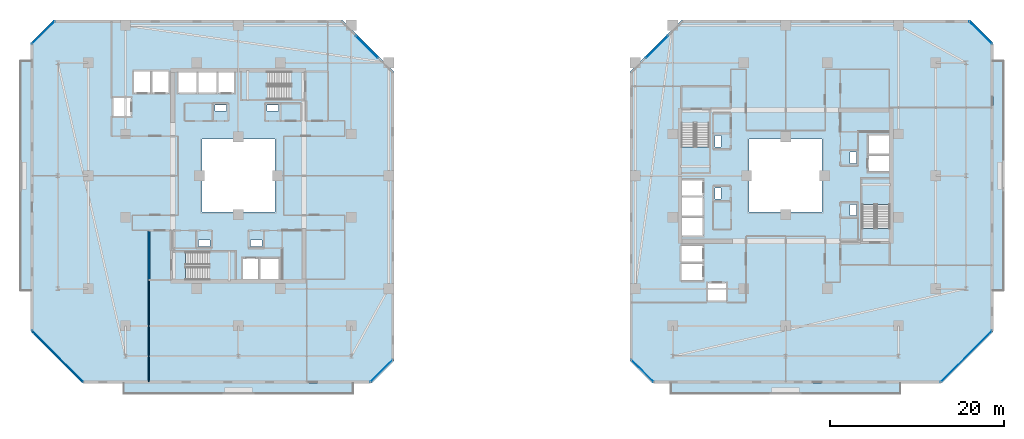
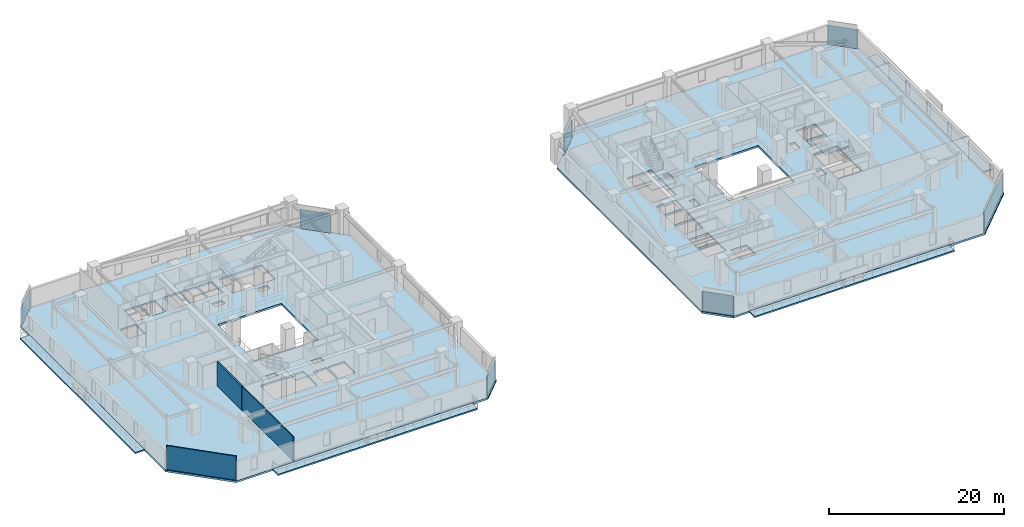
# One storey, part 17 of 32: 10 slabs, 8 plates, 3 walls, 12 elements without a shape of their own.
"""IFC4 building model written with IfcOpenShell, lengths in metres."""

import ifcopenshell
import ifcopenshell.guid

model = None  # the IFC model being written
_history = None  # IfcOwnerHistory: only IFC2X3 demands one
_inside = {}  # id of a spatial element -> (the spatial element, [elements in it])
_under = {}  # id of a project, library or spatial element -> (it, [spatial elements below it])
_declared = {}  # id of a project -> (the project, [libraries it declares])
_typed = {}  # id of a type object -> (the type object, [elements of that type])
_made_of = {}  # id of a material, layer set ... -> (it, [elements and type objects made of it])


def new_model(schema):
    """Start an empty IFC model of exactly this schema.

    Asked for "IFC4X3", IfcOpenShell would pick the latest addendum, in which some entities
    have other attributes; the version numbers below select the first issue.
    IFC2X3 requires an IfcOwnerHistory on every rooted entity: one is made here for all.
    """
    global model, _history
    if schema == "IFC4X3":
        model = ifcopenshell.file(schema_version=(4, 3, 0, 0))
    else:
        model = ifcopenshell.file(schema=schema)
    _inside.clear()
    _under.clear()
    _declared.clear()
    _typed.clear()
    _made_of.clear()
    _history = None
    if model.schema == "IFC2X3":
        org = make("IfcOrganization", Name="unknown")
        user = make(
            "IfcPersonAndOrganization",
            ThePerson=make("IfcPerson", FamilyName="unknown"),
            TheOrganization=org,
        )
        app = make(
            "IfcApplication",
            ApplicationDeveloper=org,
            Version="unknown",
            ApplicationFullName="unknown",
            ApplicationIdentifier="unknown",
        )
        _history = make(
            "IfcOwnerHistory",
            OwningUser=user,
            OwningApplication=app,
            ChangeAction="ADDED",
            CreationDate=0,
        )
    return model


def make(cls, **values):
    """One entity of the class cls with the attributes given. An attribute that is None is left unset."""
    return model.create_entity(
        cls, **{name: value for name, value in values.items() if value is not None}
    )


def rooted(cls, **values):
    """An entity with a GlobalId (a new one), such as an element, a storey or a relation."""
    return make(cls, GlobalId=ifcopenshell.guid.new(), OwnerHistory=_history, **values)


def si_unit(unit_type, name, prefix=None):
    """IfcSIUnit, for example si_unit("LENGTHUNIT", "METRE", prefix="MILLI")."""
    return make("IfcSIUnit", UnitType=unit_type, Prefix=prefix, Name=name)


def assignment(units):
    """IfcUnitAssignment: the units of a project."""
    return None if units is None else make("IfcUnitAssignment", Units=units)


def point(xyz):
    """IfcCartesianPoint."""
    return None if xyz is None else make("IfcCartesianPoint", Coordinates=xyz)


def direction(xyz):
    """IfcDirection."""
    return None if xyz is None else make("IfcDirection", DirectionRatios=xyz)


def frame(location, z_axis=None, x_axis=None):
    """IfcAxis2Placement3D, a coordinate frame: its origin and axes. An axis left out is left unset."""
    return make(
        "IfcAxis2Placement3D",
        Location=point(location),
        Axis=direction(z_axis),
        RefDirection=direction(x_axis),
    )


def frame_2d(location, x_axis=None):
    """IfcAxis2Placement2D, a coordinate frame in the plane: its origin and x axis."""
    return make(
        "IfcAxis2Placement2D", Location=point(location), RefDirection=direction(x_axis)
    )


def origin():
    """The frame at (0, 0, 0) with its axes left unset."""
    return frame((0.0, 0.0, 0.0))


def origin_2d():
    """The frame at (0, 0) in the plane with its x axis left unset."""
    return frame_2d((0.0, 0.0))


def place(relative_to, where):
    """IfcLocalPlacement: puts the frame where relative to a parent placement (None: the world)."""
    return make(
        "IfcLocalPlacement", PlacementRelTo=relative_to, RelativePlacement=where
    )


def context(
    kind, dimensions, precision=None, world=None, true_north=None, identifier=None
):
    """IfcGeometricRepresentationContext, for example the 3D "Model" context."""
    return make(
        "IfcGeometricRepresentationContext",
        ContextIdentifier=identifier,
        ContextType=kind,
        CoordinateSpaceDimension=dimensions,
        Precision=precision,
        WorldCoordinateSystem=world,
        TrueNorth=true_north,
    )


def subcontext(parent, identifier, kind, view, scale=None):
    """IfcGeometricRepresentationSubContext, for example "Body" below "Model"."""
    return make(
        "IfcGeometricRepresentationSubContext",
        ContextIdentifier=identifier,
        ContextType=kind,
        ParentContext=parent,
        TargetScale=scale,
        TargetView=view,
    )


def project(units=None, contexts=None):
    """IfcProject with its units and contexts."""
    return rooted(
        "IfcProject",
        Name="project",
        RepresentationContexts=contexts,
        UnitsInContext=assignment(units),
    )


def spatial(cls, under=None, at=None, **own):
    """A site, building, storey or space (cls), placed at a placement, below another one or the project."""
    s = rooted(cls, ObjectPlacement=at, **own)
    if under is not None:
        _under.setdefault(under.id(), (under, []))[1].append(s)
    return s


def polyline(points):
    """IfcPolyline through the points."""
    return make("IfcPolyline", Points=[point(p) for p in points])


def profile(cls, at=None, kind="AREA", **sizes):
    """A parametric profile (cls). Its sizes go by their IFC names, for example OverallWidth=200.0."""
    return make(cls, ProfileType=kind, Position=at, **sizes)


def rectangle(**sizes):
    """IfcRectangleProfileDef."""
    return profile("IfcRectangleProfileDef", **sizes)


def outline(outer, holes=None, kind="AREA"):
    """IfcArbitraryClosedProfileDef: a profile drawn as a closed curve; with holes, ...WithVoids."""
    if holes is None:
        return make("IfcArbitraryClosedProfileDef", ProfileType=kind, OuterCurve=outer)
    return make(
        "IfcArbitraryProfileDefWithVoids",
        ProfileType=kind,
        OuterCurve=outer,
        InnerCurves=holes,
    )


def extrude(swept, where, along, depth):
    """IfcExtrudedAreaSolid: the profile swept, set in the frame where, extruded along a direction by depth."""
    return make(
        "IfcExtrudedAreaSolid",
        SweptArea=swept,
        Position=where,
        ExtrudedDirection=direction(along),
        Depth=depth,
    )


def shape(context_of_items, identifier, shape_type, items):
    """IfcShapeRepresentation: the items that make up one representation, for example the "Body"."""
    return make(
        "IfcShapeRepresentation",
        ContextOfItems=context_of_items,
        RepresentationIdentifier=identifier,
        RepresentationType=shape_type,
        Items=items,
    )


def material(Name=None, Category=None):
    """IfcMaterial."""
    return make("IfcMaterial", Name=Name, Category=Category)


def layer(
    of_material, thickness, ventilated=None, Name=None, Category=None, Priority=None
):
    """IfcMaterialLayer: one layer of a wall or slab, of a material (None: an air gap)."""
    return make(
        "IfcMaterialLayer",
        Material=of_material,
        LayerThickness=thickness,
        IsVentilated=ventilated,
        Name=Name,
        Category=Category,
        Priority=Priority,
    )


def layer_set(layers, Name=None):
    """IfcMaterialLayerSet."""
    return make("IfcMaterialLayerSet", MaterialLayers=layers, LayerSetName=Name)


def made_of(thing, what):
    """Note that an element or type object is made of a material, layer set ...; save() writes the relation."""
    if what is not None:
        _made_of.setdefault(what.id(), (what, []))[1].append(thing)
    return thing


def type_object(cls, material=None, **own):
    """A type object (cls), such as IfcWallType, which elements share."""
    return made_of(rooted(cls, **own), material)


def element(
    cls,
    number,
    at=None,
    inside=None,
    cuts=None,
    type_object=None,
    material=None,
    context=None,
    identifier="Body",
    shape_type=None,
    held_by="IfcProductDefinitionShape",
    body=None,
    shapes=None,
    **own,
):
    """One element of the class cls, such as IfcWall. Its Tag is "e" and its number.

    at: its placement. inside: the storey or other place that contains it. cuts: it is an
    opening in that element (IfcRelVoidsElement). A single representation is given by context,
    identifier, shape_type and body (its items); several are given by shapes. held_by: the class
    of the entity that holds the representations. save() writes the other relations.
    """
    e = rooted(cls, Tag="e%d" % number, ObjectPlacement=at, **own)
    if body is not None:
        shapes = [shape(context, identifier, shape_type, body)]
    if shapes is not None:
        e.Representation = make(held_by, Representations=shapes)
    if inside is not None:
        _inside.setdefault(inside.id(), (inside, []))[1].append(e)
    if cuts is not None:
        rooted(
            "IfcRelVoidsElement", RelatingBuildingElement=cuts, RelatedOpeningElement=e
        )
    if type_object is not None:
        _typed.setdefault(type_object.id(), (type_object, []))[1].append(e)
    return made_of(e, material)


def aggregate(whole, parts):
    """IfcRelAggregates: a whole, such as a stair, and the parts it consists of."""
    return rooted("IfcRelAggregates", RelatingObject=whole, RelatedObjects=parts)


def save(model, path):
    """Write the relations noted so far, then the file.

    IfcRelAggregates (storeys below a building ...), IfcRelContainedInSpatialStructure (elements
    in a storey), IfcRelDefinesByType, IfcRelAssociatesMaterial and IfcRelDeclares: one each for
    every whole, place, type object, material and project.
    """
    for whole, parts in _under.values():
        aggregate(whole, parts)
    for where, things in _inside.values():
        rooted(
            "IfcRelContainedInSpatialStructure",
            RelatedElements=things,
            RelatingStructure=where,
        )
    for kind, things in _typed.values():
        rooted("IfcRelDefinesByType", RelatedObjects=things, RelatingType=kind)
    for what, things in _made_of.values():
        rooted("IfcRelAssociatesMaterial", RelatedObjects=things, RelatingMaterial=what)
    for by, libraries in _declared.values():
        rooted("IfcRelDeclares", RelatingContext=by, RelatedDefinitions=libraries)
    model.write(path)


model = new_model("IFC4")

# Units and contexts
model_context = context("Model", 3, precision=1e-05, world=origin(), true_north=direction((0.0, 1.0)))
body_context = subcontext(model_context, "Body", "Model", "MODEL_VIEW")
ifc_project = project(units=[si_unit("LENGTHUNIT", "METRE"), si_unit("AREAUNIT", "SQUARE_METRE"), si_unit("VOLUMEUNIT", "CUBIC_METRE"), si_unit("PLANEANGLEUNIT", "RADIAN"), si_unit("MASSUNIT", "GRAM", prefix="KILO")], contexts=[model_context])

# Site, building, storey
site_placement = place(None, origin())
site = spatial("IfcSite", under=ifc_project, at=site_placement, CompositionType="ELEMENT")
building_placement = place(site_placement, origin())
building = spatial("IfcBuilding", under=site, at=building_placement, Name="Thornwick Lancets Civic Towers", CompositionType="ELEMENT")
storey_placement = place(building_placement, frame((0.0, 0.0, 123.300048828125)))
storey = spatial("IfcBuildingStorey", under=building, at=storey_placement, Name="L32", CompositionType="ELEMENT", Elevation=123.300048828125)

# Curtain wall, plate
ifc_material_1 = material(Name="Mid-zone chamfered-corner unitised glass curtain wall", Category="glass")
curtain_wall_type = type_object("IfcCurtainWallType", Name="CW_SYS_04", PredefinedType="NOTDEFINED", material=ifc_material_1)
curtain_wall_1_placement = place(storey_placement, origin())
curtain_wall_1 = element("IfcCurtainWall", 1, at=curtain_wall_1_placement, inside=storey, type_object=curtain_wall_type, Name="L32 Curtain Wall CW-L32-A-E1", PredefinedType="NOTDEFINED")
ifc_material_2 = material(Name="Low-e double glazing clear glass", Category="glass")
ifc_layer_1 = layer(ifc_material_2, 0.035888671875, Name="Low-e double glazing clear glass")
ifc_layer_set_1 = layer_set([ifc_layer_1], Name="Low-e double glazing clear glass")
plate_type = type_object("IfcPlateType", Name="CW_PNL_GLASS", PredefinedType="CURTAIN_PANEL", material=ifc_layer_set_1)
plate_1_placement = place(storey_placement, frame((41.972900390625, 4.527099609375, 0.0), z_axis=(0.0, 0.0, 1.0), x_axis=(0.707106781187, 0.707106781187, 0.0)))
plate_1 = element("IfcPlate", 2, at=plate_1_placement, type_object=plate_type, Name="CW-L32-A-E1 Panel 0", PredefinedType="CURTAIN_PANEL", context=body_context, shape_type="SweptSolid", body=[
    extrude(rectangle(XDim=3.649169921875, YDim=0.035888671875, at=origin_2d()), origin(), (0.0, 0.0, 1.0), 2.699951171875),
])
aggregate(curtain_wall_1, [plate_1])

curtain_wall_2_placement = place(storey_placement, origin())
curtain_wall_2 = element("IfcCurtainWall", 3, at=curtain_wall_2_placement, inside=storey, type_object=curtain_wall_type, Name="L32 Curtain Wall CW-L32-A-E3", PredefinedType="NOTDEFINED")
plate_2_placement = place(storey_placement, frame((40.31298828125, 41.81298828125, 0.0), z_axis=(0.0, 0.0, 1.0), x_axis=(-0.707106781187, 0.707106781187, 0.0)))
plate_2 = element("IfcPlate", 4, at=plate_2_placement, type_object=plate_type, Name="CW-L32-A-E3 Panel 0", PredefinedType="CURTAIN_PANEL", context=body_context, shape_type="SweptSolid", body=[
    extrude(rectangle(XDim=3.5771484375, YDim=0.035888671875, at=origin_2d()), origin(), (0.0, 0.0, 1.0), 2.699951171875),
])
aggregate(curtain_wall_2, [plate_2])

curtain_wall_3_placement = place(storey_placement, origin())
curtain_wall_3 = element("IfcCurtainWall", 5, at=curtain_wall_3_placement, inside=storey, type_object=curtain_wall_type, Name="L32 Curtain Wall CW-L32-A-E5", PredefinedType="NOTDEFINED")
plate_3_placement = place(storey_placement, frame((3.027099609375, 43.472900390625, 0.0), z_axis=(0.0, 0.0, 1.0), x_axis=(-0.707106781187, -0.707106781187, 0.0)))
plate_3 = element("IfcPlate", 6, at=plate_3_placement, type_object=plate_type, Name="CW-L32-A-E5 Panel 0", PredefinedType="CURTAIN_PANEL", context=body_context, shape_type="SweptSolid", body=[
    extrude(rectangle(XDim=3.649169921875, YDim=0.035888671875, at=origin_2d()), origin(), (0.0, 0.0, 1.0), 2.699951171875),
])
aggregate(curtain_wall_3, [plate_3])

curtain_wall_4_placement = place(storey_placement, origin())
curtain_wall_4 = element("IfcCurtainWall", 7, at=curtain_wall_4_placement, inside=storey, type_object=curtain_wall_type, Name="L32 Curtain Wall CW-L32-A-E7", PredefinedType="NOTDEFINED")
plate_4_placement = place(storey_placement, frame((4.68701171875, 6.18701171875, 0.0), z_axis=(0.0, 0.0, 1.0), x_axis=(0.707106781187, -0.707106781187, 0.0)))
plate_4 = element("IfcPlate", 8, at=plate_4_placement, type_object=plate_type, Name="CW-L32-A-E7 Panel 0", PredefinedType="CURTAIN_PANEL", context=body_context, shape_type="SweptSolid", body=[
    extrude(rectangle(XDim=8.313720703125, YDim=0.035888671875, at=origin_2d()), origin(), (0.0, 0.0, 1.0), 2.699951171875),
])
aggregate(curtain_wall_4, [plate_4])

curtain_wall_5_placement = place(storey_placement, origin())
curtain_wall_5 = element("IfcCurtainWall", 9, at=curtain_wall_5_placement, inside=storey, type_object=curtain_wall_type, Name="L32 Curtain Wall CW-L32-B-E1", PredefinedType="NOTDEFINED")
plate_5_placement = place(storey_placement, frame((109.31298828125, 6.18701171875, 0.0), z_axis=(0.0, 0.0, 1.0), x_axis=(0.707106781187, 0.707106781187, 0.0)))
plate_5 = element("IfcPlate", 10, at=plate_5_placement, type_object=plate_type, Name="CW-L32-B-E1 Panel 0", PredefinedType="CURTAIN_PANEL", context=body_context, shape_type="SweptSolid", body=[
    extrude(rectangle(XDim=8.313720703125, YDim=0.035888671875, at=origin_2d()), origin(), (0.0, 0.0, 1.0), 2.699951171875),
])
aggregate(curtain_wall_5, [plate_5])

curtain_wall_6_placement = place(storey_placement, origin())
curtain_wall_6 = element("IfcCurtainWall", 11, at=curtain_wall_6_placement, inside=storey, type_object=curtain_wall_type, Name="L32 Curtain Wall CW-L32-B-E3", PredefinedType="NOTDEFINED")
plate_6_placement = place(storey_placement, frame((110.972900390625, 43.472900390625, 0.0), z_axis=(0.0, 0.0, 1.0), x_axis=(-0.707106781187, 0.707106781187, 0.0)))
plate_6 = element("IfcPlate", 12, at=plate_6_placement, type_object=plate_type, Name="CW-L32-B-E3 Panel 0", PredefinedType="CURTAIN_PANEL", context=body_context, shape_type="SweptSolid", body=[
    extrude(rectangle(XDim=3.649169921875, YDim=0.035888671875, at=origin_2d()), origin(), (0.0, 0.0, 1.0), 2.699951171875),
])
aggregate(curtain_wall_6, [plate_6])

curtain_wall_7_placement = place(storey_placement, origin())
curtain_wall_7 = element("IfcCurtainWall", 13, at=curtain_wall_7_placement, inside=storey, type_object=curtain_wall_type, Name="L32 Curtain Wall CW-L32-B-E5", PredefinedType="NOTDEFINED")
plate_7_placement = place(storey_placement, frame((73.68701171875, 41.81298828125, 0.0), z_axis=(0.0, 0.0, 1.0), x_axis=(-0.707106781187, -0.707106781187, 0.0)))
plate_7 = element("IfcPlate", 14, at=plate_7_placement, type_object=plate_type, Name="CW-L32-B-E5 Panel 0", PredefinedType="CURTAIN_PANEL", context=body_context, shape_type="SweptSolid", body=[
    extrude(rectangle(XDim=3.5771484375, YDim=0.035888671875, at=origin_2d()), origin(), (0.0, 0.0, 1.0), 2.699951171875),
])
aggregate(curtain_wall_7, [plate_7])

curtain_wall_8_placement = place(storey_placement, origin())
curtain_wall_8 = element("IfcCurtainWall", 15, at=curtain_wall_8_placement, inside=storey, type_object=curtain_wall_type, Name="L32 Curtain Wall CW-L32-B-E7", PredefinedType="NOTDEFINED")
plate_8_placement = place(storey_placement, frame((72.027099609375, 4.527099609375, 0.0), z_axis=(0.0, 0.0, 1.0), x_axis=(0.707106781187, -0.707106781187, 0.0)))
plate_8 = element("IfcPlate", 16, at=plate_8_placement, type_object=plate_type, Name="CW-L32-B-E7 Panel 0", PredefinedType="CURTAIN_PANEL", context=body_context, shape_type="SweptSolid", body=[
    extrude(rectangle(XDim=3.649169921875, YDim=0.035888671875, at=origin_2d()), origin(), (0.0, 0.0, 1.0), 2.699951171875),
])
aggregate(curtain_wall_8, [plate_8])

# Slabs
ifc_material_3 = material(Name="Post-tensioned concrete C40/50", Category="concrete")
ifc_layer_2 = layer(ifc_material_3, 0.199951171875, Name="Post-tensioned concrete C40/50")
ifc_layer_set_2 = layer_set([ifc_layer_2], Name="Post-tensioned concrete C40/50")
slab_type_1 = type_object("IfcSlabType", Name="SLAB_BALCONY_200", PredefinedType="FLOOR", material=ifc_layer_set_2)
slab_1_placement = place(storey_placement, frame((0.0, 0.0, -0.199951171875)))
element("IfcSlab", 17, at=slab_1_placement, inside=storey, type_object=slab_type_1, Name="L32 Tower A Planted Balcony Slab W", PredefinedType="FLOOR", context=body_context, shape_type="SweptSolid", body=[
    extrude(outline(polyline([(0.35009765625, 13.800048828125), (1.60009765625, 13.800048828125), (1.60009765625, 40.199951171875), (0.35009765625, 40.199951171875), (0.35009765625, 13.800048828125)])), origin(), (0.0, 0.0, 1.0), 0.199951171875),
])
slab_2_placement = place(storey_placement, frame((0.0, 0.0, -0.199951171875)))
element("IfcSlab", 18, at=slab_2_placement, inside=storey, type_object=slab_type_1, Name="L32 Tower A Planted Balcony Slab S", PredefinedType="FLOOR", context=body_context, shape_type="SweptSolid", body=[
    extrude(outline(polyline([(12.300048828125, 1.85009765625), (38.699951171875, 1.85009765625), (38.699951171875, 3.10009765625), (12.300048828125, 3.10009765625), (12.300048828125, 1.85009765625)])), origin(), (0.0, 0.0, 1.0), 0.199951171875),
])
slab_3_placement = place(storey_placement, frame((0.0, 0.0, -0.199951171875)))
element("IfcSlab", 19, at=slab_3_placement, inside=storey, type_object=slab_type_1, Name="L32 Tower B Planted Balcony Slab E", PredefinedType="FLOOR", context=body_context, shape_type="SweptSolid", body=[
    extrude(outline(polyline([(112.39990234375, 13.800048828125), (113.64990234375, 13.800048828125), (113.64990234375, 40.199951171875), (112.39990234375, 40.199951171875), (112.39990234375, 13.800048828125)])), origin(), (0.0, 0.0, 1.0), 0.199951171875),
])
slab_4_placement = place(storey_placement, frame((0.0, 0.0, -0.199951171875)))
element("IfcSlab", 20, at=slab_4_placement, inside=storey, type_object=slab_type_1, Name="L32 Tower B Planted Balcony Slab S", PredefinedType="FLOOR", context=body_context, shape_type="SweptSolid", body=[
    extrude(outline(polyline([(75.300048828125, 1.85009765625), (101.699951171875, 1.85009765625), (101.699951171875, 3.10009765625), (75.300048828125, 3.10009765625), (75.300048828125, 1.85009765625)])), origin(), (0.0, 0.0, 1.0), 0.199951171875),
])

# Stair, slab
ifc_material_4 = material(Name="Concrete C40/50", Category="concrete")
stair_type = type_object("IfcStairType", Name="STAIR_DL_3600", PredefinedType="HALF_TURN_STAIR", material=ifc_material_4)
stair_1_placement = place(storey_placement, origin())
stair_1 = element("IfcStair", 21, at=stair_1_placement, inside=storey, type_object=stair_type, Name="L32 Tower A South Exit Stair ST-A1", PredefinedType="HALF_TURN_STAIR")
ifc_layer_3 = layer(ifc_material_4, 0.25, Name="Concrete C40/50")
ifc_layer_set_3 = layer_set([ifc_layer_3], Name="Concrete C40/50")
slab_type_2 = type_object("IfcSlabType", Name="SLAB_LANDING_200", PredefinedType="LANDING", material=ifc_layer_set_3)
slab_5_placement = place(storey_placement, frame((0.0, 0.0, 1.60302734375)))
slab_5 = element("IfcSlab", 22, at=slab_5_placement, type_object=slab_type_2, Name="ST-A1 landing 1", PredefinedType="LANDING", context=body_context, shape_type="SweptSolid", body=[
    extrude(outline(polyline([(22.169921875, 14.93994140625), (25.14990234375, 14.93994140625), (25.14990234375, 18.260009765625), (22.169921875, 18.260009765625), (22.169921875, 14.93994140625)])), origin(), (0.0, 0.0, 1.0), 0.199951171875),
])
aggregate(stair_1, [slab_5])

stair_2_placement = place(storey_placement, origin())
stair_2 = element("IfcStair", 23, at=stair_2_placement, inside=storey, type_object=stair_type, Name="L32 Tower A North Exit Stair ST-A2", PredefinedType="HALF_TURN_STAIR")
slab_6_placement = place(storey_placement, frame((0.0, 0.0, 1.60302734375)))
slab_6 = element("IfcSlab", 24, at=slab_6_placement, type_object=slab_type_2, Name="ST-A2 landing 1", PredefinedType="LANDING", context=body_context, shape_type="SweptSolid", body=[
    extrude(outline(polyline([(28.830078125, 39.06005859375), (25.85009765625, 39.06005859375), (25.85009765625, 35.739990234375), (28.830078125, 35.739990234375), (28.830078125, 39.06005859375)])), origin(), (0.0, 0.0, 1.0), 0.199951171875),
])
aggregate(stair_2, [slab_6])

stair_3_placement = place(storey_placement, origin())
stair_3 = element("IfcStair", 25, at=stair_3_placement, inside=storey, type_object=stair_type, Name="L32 Tower B East Exit Stair ST-B1", PredefinedType="HALF_TURN_STAIR")
slab_7_placement = place(storey_placement, frame((0.0, 0.0, 1.60302734375)))
slab_7 = element("IfcSlab", 26, at=slab_7_placement, type_object=slab_type_2, Name="ST-B1 landing 1", PredefinedType="LANDING", context=body_context, shape_type="SweptSolid", body=[
    extrude(outline(polyline([(100.56005859375, 23.669921875), (100.56005859375, 26.64990234375), (97.239990234375, 26.64990234375), (97.239990234375, 23.669921875), (100.56005859375, 23.669921875)])), origin(), (0.0, 0.0, 1.0), 0.199951171875),
])
aggregate(stair_3, [slab_7])

stair_4_placement = place(storey_placement, origin())
stair_4 = element("IfcStair", 27, at=stair_4_placement, inside=storey, type_object=stair_type, Name="L32 Tower B West Exit Stair ST-B2", PredefinedType="HALF_TURN_STAIR")
slab_8_placement = place(storey_placement, frame((0.0, 0.0, 1.60302734375)))
slab_8 = element("IfcSlab", 28, at=slab_8_placement, type_object=slab_type_2, Name="ST-B2 landing 1", PredefinedType="LANDING", context=body_context, shape_type="SweptSolid", body=[
    extrude(outline(polyline([(76.43994140625, 30.330078125), (76.43994140625, 27.35009765625), (79.760009765625, 27.35009765625), (79.760009765625, 30.330078125), (76.43994140625, 30.330078125)])), origin(), (0.0, 0.0, 1.0), 0.199951171875),
])
aggregate(stair_4, [slab_8])

# Slabs
ifc_layer_4 = layer(ifc_material_3, 0.260009765625, Name="Post-tensioned concrete C40/50")
ifc_layer_set_4 = layer_set([ifc_layer_4], Name="Post-tensioned concrete C40/50")
slab_type_3 = type_object("IfcSlabType", Name="SLAB_PT_260", PredefinedType="FLOOR", material=ifc_layer_set_4)
slab_9_placement = place(storey_placement, frame((0.0, 0.0, -0.260009765625)))
element("IfcSlab", 29, at=slab_9_placement, inside=storey, type_object=slab_type_3, Name="L32 Tower A Floor Slab", PredefinedType="FLOOR", context=body_context, shape_type="SweptSolid", body=[
    extrude(outline(polyline([(7.52294921875, 3.10009765625), (40.800048828125, 3.10009765625), (43.39990234375, 5.699951171875), (43.39990234375, 38.97705078125), (37.47705078125, 44.89990234375), (4.199951171875, 44.89990234375), (1.60009765625, 42.300048828125), (1.60009765625, 9.02294921875), (7.52294921875, 3.10009765625)]), holes=[polyline([(21.300048828125, 22.800048828125), (29.699951171875, 22.800048828125), (29.699951171875, 31.199951171875), (21.300048828125, 31.199951171875), (21.300048828125, 22.800048828125)]), polyline([(19.429931640625, 15.0), (25.10009765625, 15.0), (25.10009765625, 18.199951171875), (19.429931640625, 18.199951171875), (19.429931640625, 15.0)]), polyline([(31.570068359375, 39.0), (25.89990234375, 39.0), (25.89990234375, 35.800048828125), (31.570068359375, 35.800048828125), (31.570068359375, 39.0)]), polyline([(26.0, 15.0), (27.800048828125, 15.0), (27.800048828125, 17.550048828125), (26.0, 17.550048828125), (26.0, 15.0)]), polyline([(28.0, 15.0), (30.14990234375, 15.0), (30.14990234375, 17.550048828125), (28.0, 17.550048828125), (28.0, 15.0)]), polyline([(23.199951171875, 36.449951171875), (25.0, 36.449951171875), (25.0, 39.0), (23.199951171875, 39.0), (23.199951171875, 36.449951171875)]), polyline([(20.85009765625, 36.449951171875), (23.0, 36.449951171875), (23.0, 39.0), (20.85009765625, 39.0), (20.85009765625, 36.449951171875)]), polyline([(18.60009765625, 36.449951171875), (20.699951171875, 36.449951171875), (20.699951171875, 39.0), (18.60009765625, 39.0), (18.60009765625, 36.449951171875)]), polyline([(15.550048828125, 36.449951171875), (17.449951171875, 36.449951171875), (17.449951171875, 39.0), (15.550048828125, 39.0), (15.550048828125, 36.449951171875)]), polyline([(13.449951171875, 36.449951171875), (15.39990234375, 36.449951171875), (15.39990234375, 39.0), (13.449951171875, 39.0), (13.449951171875, 36.449951171875)]), polyline([(11.10009765625, 33.85009765625), (13.199951171875, 33.85009765625), (13.199951171875, 35.949951171875), (11.10009765625, 35.949951171875), (11.10009765625, 33.85009765625)]), polyline([(26.89990234375, 18.85009765625), (28.199951171875, 18.85009765625), (28.199951171875, 19.580078125), (26.89990234375, 19.580078125), (26.89990234375, 18.85009765625)]), polyline([(20.89990234375, 18.85009765625), (22.199951171875, 18.85009765625), (22.199951171875, 19.580078125), (20.89990234375, 19.580078125), (20.89990234375, 18.85009765625)]), polyline([(22.800048828125, 34.419921875), (24.10009765625, 34.419921875), (24.10009765625, 35.14990234375), (22.800048828125, 35.14990234375), (22.800048828125, 34.419921875)]), polyline([(28.800048828125, 34.419921875), (30.10009765625, 34.419921875), (30.10009765625, 35.14990234375), (28.800048828125, 35.14990234375), (28.800048828125, 34.419921875)])]), origin(), (0.0, 0.0, 1.0), 0.260009765625),
])
slab_10_placement = place(storey_placement, frame((0.0, 0.0, -0.260009765625)))
element("IfcSlab", 30, at=slab_10_placement, inside=storey, type_object=slab_type_3, Name="L32 Tower B Floor Slab", PredefinedType="FLOOR", context=body_context, shape_type="SweptSolid", body=[
    extrude(outline(polyline([(73.199951171875, 3.10009765625), (106.47705078125, 3.10009765625), (112.39990234375, 9.02294921875), (112.39990234375, 42.300048828125), (109.800048828125, 44.89990234375), (76.52294921875, 44.89990234375), (70.60009765625, 38.97705078125), (70.60009765625, 5.699951171875), (73.199951171875, 3.10009765625)]), holes=[polyline([(84.300048828125, 22.800048828125), (92.699951171875, 22.800048828125), (92.699951171875, 31.199951171875), (84.300048828125, 31.199951171875), (84.300048828125, 22.800048828125)]), polyline([(100.5, 20.929931640625), (100.5, 26.60009765625), (97.300048828125, 26.60009765625), (97.300048828125, 20.929931640625), (100.5, 20.929931640625)]), polyline([(76.5, 33.070068359375), (76.5, 27.39990234375), (79.699951171875, 27.39990234375), (79.699951171875, 33.070068359375), (76.5, 33.070068359375)]), polyline([(97.949951171875, 27.5), (100.5, 27.5), (100.5, 29.300048828125), (97.949951171875, 29.300048828125), (97.949951171875, 27.5)]), polyline([(97.949951171875, 29.5), (100.5, 29.5), (100.5, 31.64990234375), (97.949951171875, 31.64990234375), (97.949951171875, 29.5)]), polyline([(76.5, 24.699951171875), (79.050048828125, 24.699951171875), (79.050048828125, 26.5), (76.5, 26.5), (76.5, 24.699951171875)]), polyline([(76.5, 22.35009765625), (79.050048828125, 22.35009765625), (79.050048828125, 24.5), (76.5, 24.5), (76.5, 22.35009765625)]), polyline([(76.5, 20.10009765625), (79.050048828125, 20.10009765625), (79.050048828125, 22.199951171875), (76.5, 22.199951171875), (76.5, 20.10009765625)]), polyline([(76.5, 17.050048828125), (79.050048828125, 17.050048828125), (79.050048828125, 18.949951171875), (76.5, 18.949951171875), (76.5, 17.050048828125)]), polyline([(76.5, 14.949951171875), (79.050048828125, 14.949951171875), (79.050048828125, 16.89990234375), (76.5, 16.89990234375), (76.5, 14.949951171875)]), polyline([(79.550048828125, 12.60009765625), (81.64990234375, 12.60009765625), (81.64990234375, 14.699951171875), (79.550048828125, 14.699951171875), (79.550048828125, 12.60009765625)]), polyline([(95.919921875, 28.39990234375), (96.64990234375, 28.39990234375), (96.64990234375, 29.699951171875), (95.919921875, 29.699951171875), (95.919921875, 28.39990234375)]), polyline([(95.919921875, 22.39990234375), (96.64990234375, 22.39990234375), (96.64990234375, 23.699951171875), (95.919921875, 23.699951171875), (95.919921875, 22.39990234375)]), polyline([(80.35009765625, 24.300048828125), (81.080078125, 24.300048828125), (81.080078125, 25.60009765625), (80.35009765625, 25.60009765625), (80.35009765625, 24.300048828125)]), polyline([(80.35009765625, 30.300048828125), (81.080078125, 30.300048828125), (81.080078125, 31.60009765625), (80.35009765625, 31.60009765625), (80.35009765625, 30.300048828125)])]), origin(), (0.0, 0.0, 1.0), 0.260009765625),
])

# Walls
ifc_material_5 = material(Name="Concrete blockwork C40/50", Category="masonry")
ifc_layer_5 = layer(ifc_material_5, 0.199951171875, Name="Concrete blockwork C40/50")
ifc_layer_set_5 = layer_set([ifc_layer_5], Name="Concrete blockwork C40/50")
wall_type_1 = type_object("IfcWallType", Name="WALL_COMP_200", PredefinedType="STANDARD", material=ifc_layer_set_5)
wall_1_placement = place(storey_placement, frame((15.199951171875, 20.699951171875, 0.0), z_axis=(0.0, 0.0, 1.0), x_axis=(0.0, -1.0, 0.0)))
element("IfcWall", 31, at=wall_1_placement, inside=storey, type_object=wall_type_1, Name="L32 Partition L32-A-FFLOB1 E4", PredefinedType="STANDARD", context=body_context, shape_type="SweptSolid", body=[
    extrude(rectangle(XDim=5.699951171875, YDim=0.199951171875, at=frame_2d((2.85009765625, 0.0))), origin(), (0.0, 0.0, 1.0), 3.33984375),
])
ifc_material_6 = material(Name="Acoustic gypsum board partition")
ifc_layer_6 = layer(ifc_material_6, 0.1201171875, Name="Acoustic gypsum board partition")
ifc_layer_set_6 = layer_set([ifc_layer_6], Name="Acoustic gypsum board partition")
wall_type_2 = type_object("IfcWallType", Name="WALL_PART_120", PredefinedType="PARTITIONING", material=ifc_layer_set_6)
wall_2_placement = place(storey_placement, frame((15.199951171875, 15.0, 0.0), z_axis=(0.0, 0.0, 1.0), x_axis=(0.0, -1.0, 0.0)))
element("IfcWall", 32, at=wall_2_placement, inside=storey, type_object=wall_type_2, Name="L32 Partition L32-A-W1 E5", PredefinedType="PARTITIONING", context=body_context, shape_type="SweptSolid", body=[
    extrude(rectangle(XDim=11.719970703125, YDim=0.1201171875, at=frame_2d((5.85986328125, 0.0))), origin(), (0.0, 0.0, 1.0), 3.33984375),
])
wall_3_placement = place(storey_placement, frame((7.59765625, 3.280029296875, 0.0), z_axis=(0.0, 0.0, 1.0), x_axis=(-0.707106781187, 0.707106781187, 0.0)))
element("IfcWall", 33, at=wall_3_placement, inside=storey, type_object=wall_type_2, Name="L32 Partition L32-A-W1 E7", PredefinedType="PARTITIONING", context=body_context, shape_type="SweptSolid", body=[
    extrude(rectangle(XDim=8.227294921875, YDim=0.1201171875, at=frame_2d((4.11376953125, 0.0))), origin(), (0.0, 0.0, 1.0), 3.33984375),
])

save(model, "model.ifc")
